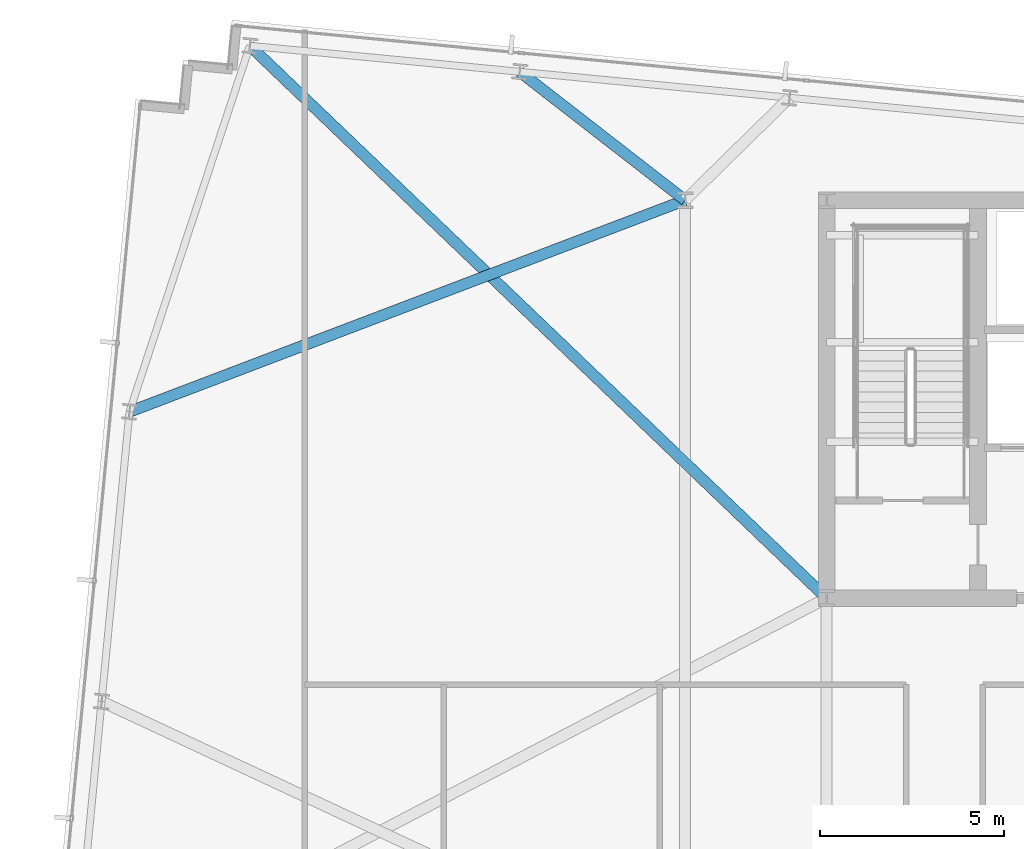
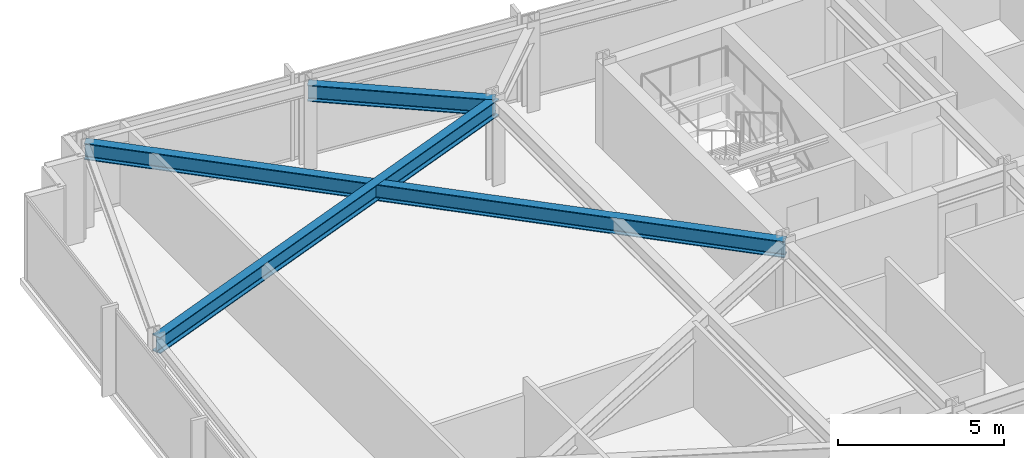
# One storey, part 22 of 38: 3 beams.
"""IFC4 building model written with IfcOpenShell, lengths in metres."""

from ifc_helpers import new_model, si_unit, direction, frame, origin, origin_2d, place, context, subcontext, project, spatial, i_section, extrude, material, material_profile, profile_set, type_object, element, save


model = new_model("IFC4")

# Units and contexts
model_context = context("Model", 3, precision=1e-05, world=origin(), true_north=direction((0.0, 1.0)))
body_context = subcontext(model_context, "Body", "Model", "MODEL_VIEW")
ifc_project = project(units=[si_unit("LENGTHUNIT", "METRE"), si_unit("AREAUNIT", "SQUARE_METRE"), si_unit("VOLUMEUNIT", "CUBIC_METRE"), si_unit("PLANEANGLEUNIT", "RADIAN"), si_unit("MASSUNIT", "GRAM", prefix="KILO")], contexts=[model_context])

# Site, building, storey
site_placement = place(None, origin())
site = spatial("IfcSite", under=ifc_project, at=site_placement, CompositionType="ELEMENT")
building_placement = place(site_placement, origin())
building = spatial("IfcBuilding", under=site, at=building_placement, Name="Yelkora Congress Tower", CompositionType="ELEMENT")
storey_placement = place(building_placement, frame((0.0, 0.0, 155.60009765625)))
storey = spatial("IfcBuildingStorey", under=building, at=storey_placement, Name="L42", CompositionType="ELEMENT", Elevation=155.60009765625)

# Beams
ifc_material = material(Name="Steel S355J2", Category="steel")
ifc_material_profile = material_profile(ifc_material, i_section(OverallWidth=0.300048828125, OverallDepth=0.60009765625, WebThickness=0.015380859375, FlangeThickness=0.030029296875, FilletRadius=0.027099609375, at=origin_2d()), Name="HEB 600")
ifc_profile_set = profile_set([ifc_material_profile], Name="Steel S355J2")
beam_type = type_object("IfcBeamType", Name="BM-GIRD-HEB600", PredefinedType="BEAM", material=ifc_profile_set)
beam_1_placement = place(storey_placement, frame((7.388916015625, 50.390625, 2.77978515625), z_axis=(0.722178809531, -0.691706416816, 0.0), x_axis=(0.691706416816, 0.722178809531, 0.0)))
element("IfcBeam", 1, at=beam_1_placement, inside=storey, type_object=beam_type, Name="L42 Primary Frame Girder N01", PredefinedType="BEAM", context=body_context, shape_type="SweptSolid", body=[
    extrude(i_section(OverallWidth=0.300048828125, OverallDepth=0.60009765625, WebThickness=0.015380859375, FlangeThickness=0.030029296875, FilletRadius=0.027099609375, at=origin_2d()), origin(), (0.0, 0.0, 1.0), 21.672119140625),
])
beam_2_placement = place(storey_placement, frame((14.712158203125, 49.685546875, 2.77978515625), z_axis=(0.789770770989, -0.6134020943, 0.0), x_axis=(0.6134020943, 0.789770770989, 0.0)))
element("IfcBeam", 2, at=beam_2_placement, inside=storey, type_object=beam_type, Name="L42 Primary Frame Girder N02", PredefinedType="BEAM", context=body_context, shape_type="SweptSolid", body=[
    extrude(i_section(OverallWidth=0.300048828125, OverallDepth=0.60009765625, WebThickness=0.015380859375, FlangeThickness=0.030029296875, FilletRadius=0.027099609375, at=origin_2d()), origin(), (0.0, 0.0, 1.0), 5.682373046875),
])
beam_3_placement = place(storey_placement, frame((4.121826171875, 40.4580078125, 2.77978515625), z_axis=(0.934531115392, 0.355881433013, 0.0), x_axis=(-0.355881433013, 0.934531115392, 0.0)))
element("IfcBeam", 3, at=beam_3_placement, inside=storey, type_object=beam_type, Name="L42 Primary Frame Girder W03", PredefinedType="BEAM", context=body_context, shape_type="SweptSolid", body=[
    extrude(i_section(OverallWidth=0.300048828125, OverallDepth=0.60009765625, WebThickness=0.015380859375, FlangeThickness=0.030029296875, FilletRadius=0.027099609375, at=origin_2d()), origin(), (0.0, 0.0, 1.0), 16.134521484375),
])

save(model, "model.ifc")
